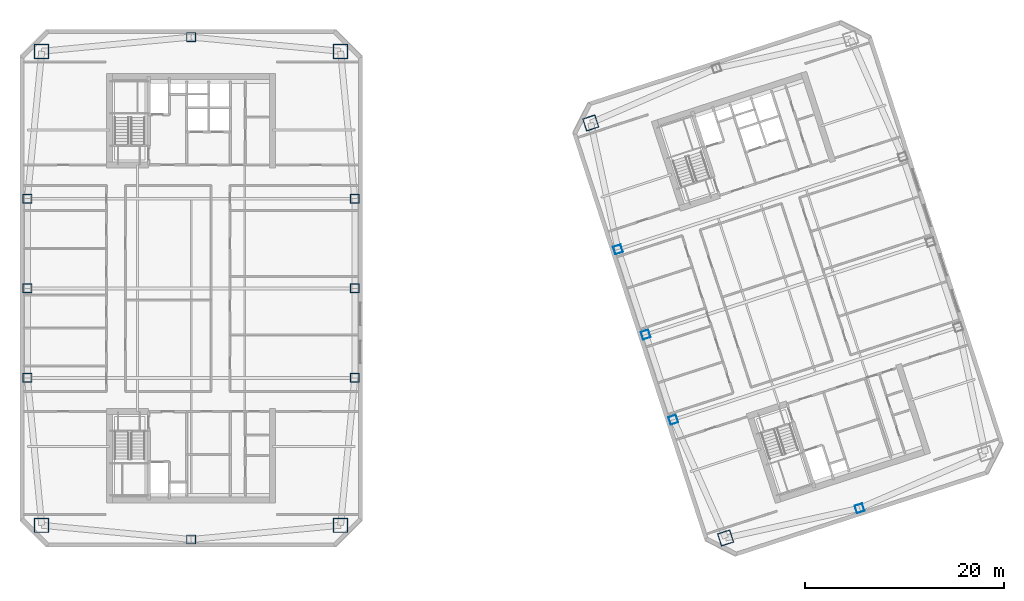
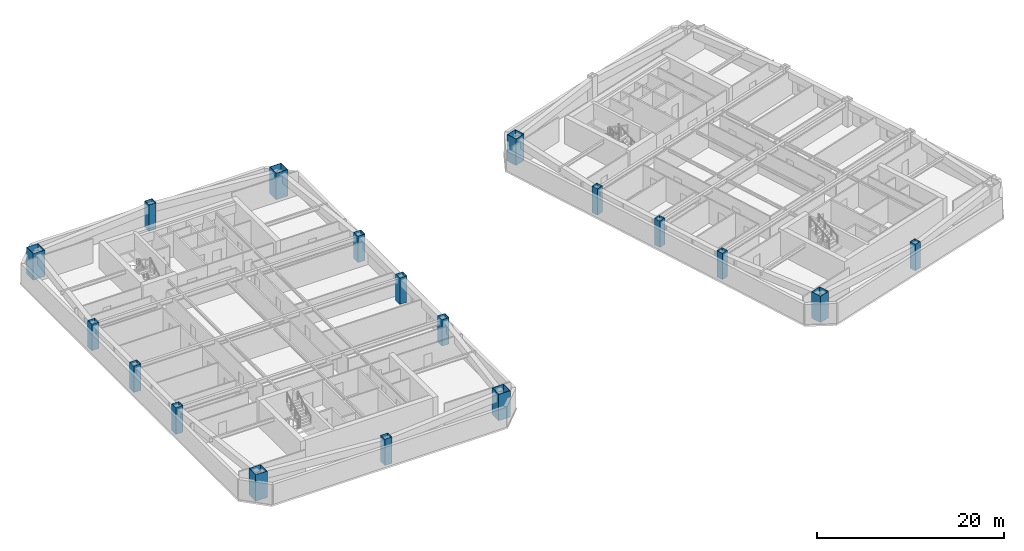
# One storey, part 1 of 13: 18 columns.
"""IFC4 building model written with IfcOpenShell, lengths in metres."""

from ifc_helpers import new_model, si_unit, direction, frame, origin, origin_2d, place, context, subcontext, project, spatial, hollow_rectangle, extrude, material, material_profile, profile_set, type_object, element, save


model = new_model("IFC4")

# Units and contexts
model_context = context("Model", 3, precision=1e-05, world=origin(), true_north=direction((0.0, 1.0)))
body_context = subcontext(model_context, "Body", "Model", "MODEL_VIEW")
ifc_project = project(units=[si_unit("LENGTHUNIT", "METRE"), si_unit("AREAUNIT", "SQUARE_METRE"), si_unit("VOLUMEUNIT", "CUBIC_METRE"), si_unit("PLANEANGLEUNIT", "RADIAN"), si_unit("MASSUNIT", "GRAM", prefix="KILO")], contexts=[model_context])

# Site, building, storey
site_placement = place(None, origin())
site = spatial("IfcSite", under=ifc_project, at=site_placement, CompositionType="ELEMENT")
building_placement = place(site_placement, origin())
building = spatial("IfcBuilding", under=site, at=building_placement, Name="Qiaolan Cultural Towers", CompositionType="ELEMENT")
storey_placement = place(building_placement, frame((0.0, 0.0, 170.199951171875)))
storey = spatial("IfcBuildingStorey", under=building, at=storey_placement, Name="L45", CompositionType="ELEMENT", Elevation=170.199951171875)

# Columns
ifc_material_1 = material(Name="Steel Q390GJB", Category="steel")
ifc_material_profile_1 = material_profile(ifc_material_1, hollow_rectangle(XDim=1.300048828125, YDim=1.300048828125, WallThickness=0.044921875, at=origin_2d()), Name="BOX1300x1300x45")
ifc_profile_set_1 = profile_set([ifc_material_profile_1], Name="Steel Q390GJB")
column_type_1 = type_object("IfcColumnType", Name="COL-BOX1300x1300x45", PredefinedType="COLUMN", material=ifc_profile_set_1)
for number, where, z_axis, x_axis, name in (
    (1, (83.71875, 8.900634765625, 0.0), (0.0, 0.0, 1.0), (0.951056516295, 0.309016994375, 0.0), "L45 T2 Perimeter Column MC-SW"),
    (2, (70.165283203125, 50.61376953125, 0.0), (0.0, 0.0, 1.0), (0.951056516295, 0.309016994375, 0.0), "L45 T2 Perimeter Column MC-NW"),
):
    element("IfcColumn", number, at=place(storey_placement, frame(where, z_axis=z_axis, x_axis=x_axis)), inside=storey, type_object=column_type_1, Name=name, PredefinedType="COLUMN", context=body_context, shape_type="SweptSolid", body=[
        extrude(hollow_rectangle(XDim=1.300048828125, YDim=1.300048828125, WallThickness=0.044921875, at=origin_2d()), origin(), (0.0, 0.0, 1.0), 3.450927734375),
    ])
ifc_material_2 = material(Name="Steel Q420GJB", Category="steel")
ifc_material_profile_2 = material_profile(ifc_material_2, hollow_rectangle(XDim=1.449951171875, YDim=1.449951171875, WallThickness=0.050048828125, at=origin_2d()), Name="BOX1450x1450x50")
ifc_profile_set_2 = profile_set([ifc_material_profile_2], Name="Steel Q420GJB")
column_type_2 = type_object("IfcColumnType", Name="COL-BOX1450x1450x50", PredefinedType="COLUMN", material=ifc_profile_set_2)
for number, where, z_axis, x_axis, name in (
    (3, (14.97998046875, 10.179931640625, 0.0), (0.0, 0.0, 1.0), (1.0, 0.0, 0.0), "L45 T1 Perimeter Column MC-SW"),
    (4, (45.02001953125, 10.179931640625, 0.0), (0.0, 0.0, 1.0), (1.0, 0.0, 0.0), "L45 T1 Perimeter Column MC-SE"),
    (5, (45.02001953125, 57.820068359375, 0.0), (0.0, 0.0, 1.0), (1.0, 0.0, 0.0), "L45 T1 Perimeter Column MC-NE"),
    (6, (14.97998046875, 57.820068359375, 0.0), (0.0, 0.0, 1.0), (1.0, 0.0, 0.0), "L45 T1 Perimeter Column MC-NW"),
):
    element("IfcColumn", number, at=place(storey_placement, frame(where, z_axis=z_axis, x_axis=x_axis)), inside=storey, type_object=column_type_2, Name=name, PredefinedType="COLUMN", context=body_context, shape_type="SweptSolid", body=[
        extrude(hollow_rectangle(XDim=1.449951171875, YDim=1.449951171875, WallThickness=0.050048828125, at=origin_2d()), origin(), (0.0, 0.0, 1.0), 3.450927734375),
    ])
ifc_material_3 = material(Name="Steel Q355B", Category="steel")
ifc_material_profile_3 = material_profile(ifc_material_3, hollow_rectangle(XDim=0.800048828125, YDim=0.800048828125, WallThickness=0.028076171875, at=origin_2d()), Name="BOX800x800x28")
ifc_profile_set_3 = profile_set([ifc_material_profile_3], Name="Steel Q355B")
column_type_3 = type_object("IfcColumnType", Name="COL-BOX800x800x28", PredefinedType="COLUMN", material=ifc_profile_set_3)
for number, where, z_axis, x_axis, name in (
    (7, (78.4677734375, 20.789794921875, 0.0), (0.0, 0.0, 1.0), (0.951056516295, 0.309016994375, 0.0), "L45 T2 Perimeter Column PC-W1"),
    (8, (75.6865234375, 29.349365234375, 0.0), (0.0, 0.0, 1.0), (0.951056516295, 0.309016994375, 0.0), "L45 T2 Perimeter Column PC-W2"),
    (9, (72.905517578125, 37.90869140625, 0.0), (0.0, 0.0, 1.0), (0.951056516295, 0.309016994375, 0.0), "L45 T2 Perimeter Column PC-W3"),
    (10, (97.1845703125, 11.887939453125, 0.0), (0.0, 0.0, 1.0), (0.951056516295, 0.309016994375, 0.0), "L45 T2 Perimeter Column PC-S0"),
):
    element("IfcColumn", number, at=place(storey_placement, frame(where, z_axis=z_axis, x_axis=x_axis)), inside=storey, type_object=column_type_3, Name=name, PredefinedType="COLUMN", context=body_context, shape_type="SweptSolid", body=[
        extrude(hollow_rectangle(XDim=0.800048828125, YDim=0.800048828125, WallThickness=0.028076171875, at=origin_2d()), origin(), (0.0, 0.0, 1.0), 3.450927734375),
    ])
ifc_material_4 = material(Name="Steel Q355B", Category="steel")
ifc_material_profile_4 = material_profile(ifc_material_4, hollow_rectangle(XDim=0.89990234375, YDim=0.89990234375, WallThickness=0.031982421875, at=origin_2d()), Name="BOX900x900x32")
ifc_profile_set_4 = profile_set([ifc_material_profile_4], Name="Steel Q355B")
column_type_4 = type_object("IfcColumnType", Name="COL-BOX900x900x32", PredefinedType="COLUMN", material=ifc_profile_set_4)
for number, where, z_axis, x_axis, name in (
    (11, (13.550048828125, 25.0, 0.0), (0.0, 0.0, 1.0), (1.0, 0.0, 0.0), "L45 T1 Perimeter Column PC-W1"),
    (12, (13.550048828125, 34.0, 0.0), (0.0, 0.0, 1.0), (1.0, 0.0, 0.0), "L45 T1 Perimeter Column PC-W2"),
    (13, (13.550048828125, 43.0, 0.0), (0.0, 0.0, 1.0), (1.0, 0.0, 0.0), "L45 T1 Perimeter Column PC-W3"),
    (14, (46.449951171875, 25.0, 0.0), (0.0, 0.0, 1.0), (1.0, 0.0, 0.0), "L45 T1 Perimeter Column PC-E1"),
    (15, (46.449951171875, 34.0, 0.0), (0.0, 0.0, 1.0), (1.0, 0.0, 0.0), "L45 T1 Perimeter Column PC-E2"),
    (16, (46.449951171875, 43.0, 0.0), (0.0, 0.0, 1.0), (1.0, 0.0, 0.0), "L45 T1 Perimeter Column PC-E3"),
    (17, (30.0, 8.75, 0.0), (0.0, 0.0, 1.0), (1.0, 0.0, 0.0), "L45 T1 Perimeter Column PC-S0"),
    (18, (30.0, 59.25, 0.0), (0.0, 0.0, 1.0), (1.0, 0.0, 0.0), "L45 T1 Perimeter Column PC-N0"),
):
    element("IfcColumn", number, at=place(storey_placement, frame(where, z_axis=z_axis, x_axis=x_axis)), inside=storey, type_object=column_type_4, Name=name, PredefinedType="COLUMN", context=body_context, shape_type="SweptSolid", body=[
        extrude(hollow_rectangle(XDim=0.89990234375, YDim=0.89990234375, WallThickness=0.031982421875, at=origin_2d()), origin(), (0.0, 0.0, 1.0), 3.450927734375),
    ])

save(model, "model.ifc")
